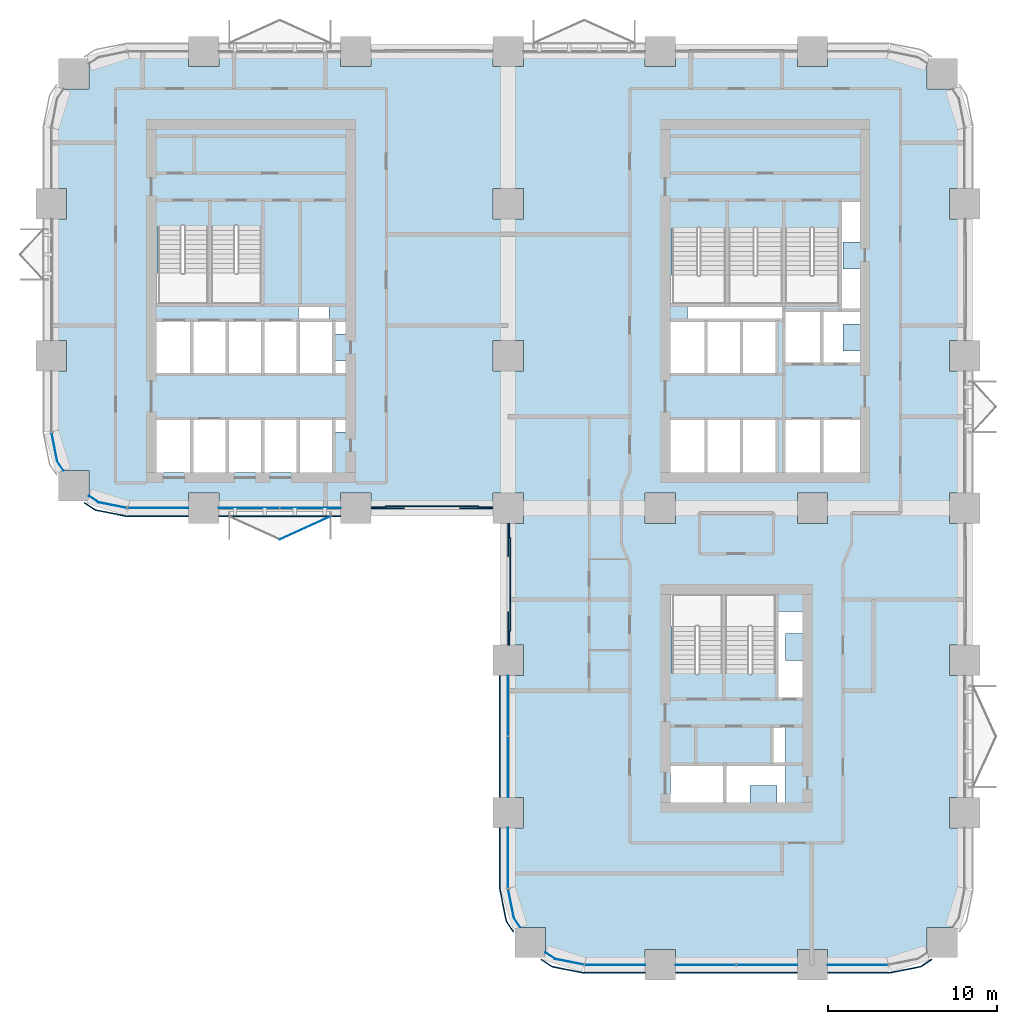
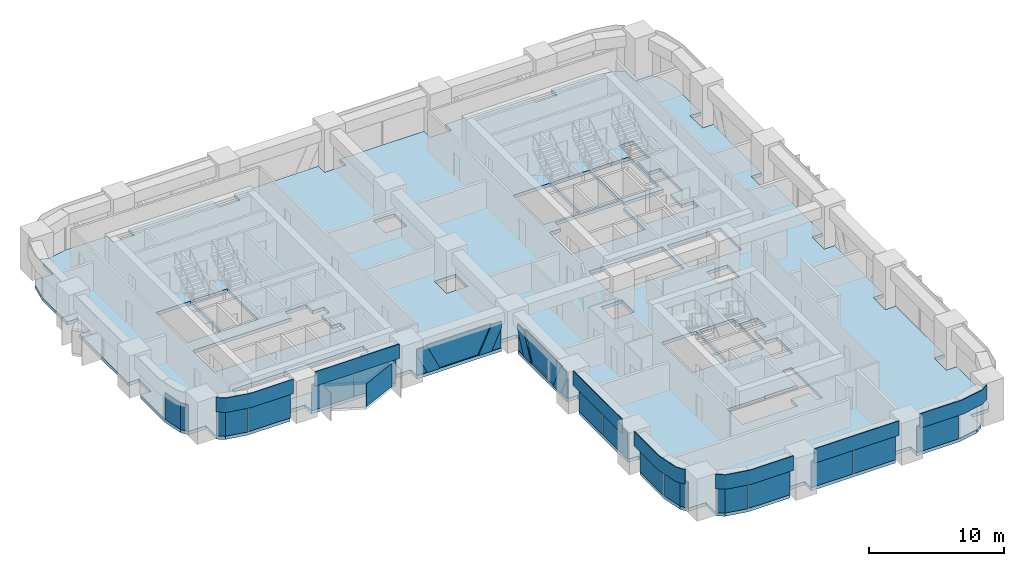
# One storey, part 9 of 18: 32 plates, 1 slab, 10 elements without a shape of their own.
"""IFC4 building model written with IfcOpenShell, lengths in metres."""

from ifc_helpers import new_model, si_unit, direction, frame, origin, origin_2d, place, context, subcontext, project, spatial, polyline, rectangle, outline, extrude, material, layer, layer_set, type_object, element, aggregate, save


model = new_model("IFC4")

# Units and contexts
model_context = context("Model", 3, precision=1e-05, world=origin(), true_north=direction((0.0, 1.0)))
body_context = subcontext(model_context, "Body", "Model", "MODEL_VIEW")
ifc_project = project(units=[si_unit("LENGTHUNIT", "METRE"), si_unit("AREAUNIT", "SQUARE_METRE"), si_unit("VOLUMEUNIT", "CUBIC_METRE"), si_unit("PLANEANGLEUNIT", "RADIAN"), si_unit("MASSUNIT", "GRAM", prefix="KILO")], contexts=[model_context])

# Site, building, storey
site_placement = place(None, origin())
site = spatial("IfcSite", under=ifc_project, at=site_placement, CompositionType="ELEMENT")
building_placement = place(site_placement, origin())
building = spatial("IfcBuilding", under=site, at=building_placement, Name="Tessera Arch", CompositionType="ELEMENT")
storey_placement = place(building_placement, frame((0.0, 0.0, 89.199951171875)))
storey = spatial("IfcBuildingStorey", under=building, at=storey_placement, Name="L20", CompositionType="ELEMENT", Elevation=89.199951171875)

# Curtain wall, plates
ifc_material_1 = material(Name="CW1 curtain wall")
curtain_wall_type_1 = type_object("IfcCurtainWallType", Name="CW1 curtain wall", PredefinedType="NOTDEFINED", material=ifc_material_1)
curtain_wall_1_placement = place(storey_placement, origin())
curtain_wall_1 = element("IfcCurtainWall", 1, at=curtain_wall_1_placement, inside=storey, type_object=curtain_wall_type_1, Name="CW1 curtain wall S27.0/1 L20", PredefinedType="NOTDEFINED")
ifc_material_2 = material(Name="Clear low-e glass", Category="glass")
ifc_material_3 = material(Name="Clear low-e glass", Category="glass")
ifc_layer_1 = layer(ifc_material_3, 0.028076171875)
ifc_layer_set_1 = layer_set([ifc_layer_1], Name="CW1 glass panel")
plate_type_1 = type_object("IfcPlateType", Name="CW1 glass panel", PredefinedType="CURTAIN_PANEL", material=ifc_layer_set_1)
plate_1_placement = place(storey_placement, frame((11.68505859375, 27.0, 0.0), z_axis=(0.0, 0.0, 1.0), x_axis=(1.0, 0.0, 0.0)))
plate_1 = element("IfcPlate", 2, at=plate_1_placement, type_object=plate_type_1, material=ifc_material_2, Name="CW1 glass panel S27.0/1 1.1.1", PredefinedType="CURTAIN_PANEL", context=body_context, shape_type="SweptSolid", body=[
    extrude(rectangle(XDim=3.570068359375, YDim=0.028076171875, at=origin_2d()), origin(), (0.0, 0.0, 1.0), 2.39990234375),
])
plate_2_placement = place(storey_placement, frame((15.31494140625, 27.0, 0.0), z_axis=(0.0, 0.0, 1.0), x_axis=(1.0, 0.0, 0.0)))
plate_2 = element("IfcPlate", 3, at=plate_2_placement, type_object=plate_type_1, material=ifc_material_2, Name="CW1 glass panel S27.0/1 1.2.1", PredefinedType="CURTAIN_PANEL", context=body_context, shape_type="SweptSolid", body=[
    extrude(rectangle(XDim=3.570068359375, YDim=0.028076171875, at=origin_2d()), origin(), (0.0, 0.0, 1.0), 2.39990234375),
])

curtain_wall_2_placement = place(storey_placement, origin())
curtain_wall_2 = element("IfcCurtainWall", 4, at=curtain_wall_2_placement, inside=storey, type_object=curtain_wall_type_1, Name="CW1 curtain wall W27.0/1 L20", PredefinedType="NOTDEFINED")
plate_3_placement = place(storey_placement, frame((27.0, 15.31494140625, 0.0), z_axis=(0.0, 0.0, 1.0), x_axis=(0.0, -1.0, 0.0)))
plate_3 = element("IfcPlate", 5, at=plate_3_placement, type_object=plate_type_1, material=ifc_material_2, Name="CW1 glass panel W27.0/1 1.1.1", PredefinedType="CURTAIN_PANEL", context=body_context, shape_type="SweptSolid", body=[
    extrude(rectangle(XDim=3.570068359375, YDim=0.028076171875, at=origin_2d()), origin(), (0.0, 0.0, 1.0), 2.39990234375),
])
plate_4_placement = place(storey_placement, frame((27.0, 11.68505859375, 0.0), z_axis=(0.0, 0.0, 1.0), x_axis=(0.0, -1.0, 0.0)))
plate_4 = element("IfcPlate", 6, at=plate_4_placement, type_object=plate_type_1, material=ifc_material_2, Name="CW1 glass panel W27.0/1 1.2.1", PredefinedType="CURTAIN_PANEL", context=body_context, shape_type="SweptSolid", body=[
    extrude(rectangle(XDim=3.570068359375, YDim=0.028076171875, at=origin_2d()), origin(), (0.0, 0.0, 1.0), 2.39990234375),
])

curtain_wall_3_placement = place(storey_placement, origin())
curtain_wall_3 = element("IfcCurtainWall", 7, at=curtain_wall_3_placement, inside=storey, type_object=curtain_wall_type_1, Name="CW1 curtain wall S0.27/1 L20", PredefinedType="NOTDEFINED")
plate_5_placement = place(storey_placement, frame((38.68505859375, 0.0, 0.0), z_axis=(0.0, 0.0, 1.0), x_axis=(1.0, 0.0, 0.0)))
plate_5 = element("IfcPlate", 8, at=plate_5_placement, type_object=plate_type_1, material=ifc_material_2, Name="CW1 glass panel S0.27/1 1.1.1", PredefinedType="CURTAIN_PANEL", context=body_context, shape_type="SweptSolid", body=[
    extrude(rectangle(XDim=3.570068359375, YDim=0.028076171875, at=origin_2d()), origin(), (0.0, 0.0, 1.0), 2.39990234375),
])
plate_6_placement = place(storey_placement, frame((42.31494140625, 0.0, 0.0), z_axis=(0.0, 0.0, 1.0), x_axis=(1.0, 0.0, 0.0)))
plate_6 = element("IfcPlate", 9, at=plate_6_placement, type_object=plate_type_1, material=ifc_material_2, Name="CW1 glass panel S0.27/1 1.2.1", PredefinedType="CURTAIN_PANEL", context=body_context, shape_type="SweptSolid", body=[
    extrude(rectangle(XDim=3.570068359375, YDim=0.028076171875, at=origin_2d()), origin(), (0.0, 0.0, 1.0), 2.39990234375),
])

# Plate
ifc_material_4 = material(Name="Pale anodised aluminium panel", Category="aluminium")
ifc_layer_2 = layer(ifc_material_4, 0.06005859375)
ifc_layer_set_2 = layer_set([ifc_layer_2], Name="CW1 spandrel panel")
plate_type_2 = type_object("IfcPlateType", Name="CW1 spandrel panel", PredefinedType="CURTAIN_PANEL", material=ifc_layer_set_2)
plate_7_placement = place(storey_placement, frame((13.5, 26.52001953125, 2.5), z_axis=(0.0, 0.0, 1.0), x_axis=(1.0, 0.0, 0.0)))
plate_7 = element("IfcPlate", 10, at=plate_7_placement, type_object=plate_type_2, Name="CW1 spandrel panel S27.0/1", PredefinedType="CURTAIN_PANEL", context=body_context, shape_type="SweptSolid", body=[
    extrude(rectangle(XDim=7.199951171875, YDim=0.06005859375, at=origin_2d()), origin(), (0.0, 0.0, 1.0), 1.300048828125),
])

aggregate(curtain_wall_1, [plate_1, plate_2, plate_7])

plate_8_placement = place(storey_placement, frame((26.52001953125, 13.5, 2.5), z_axis=(0.0, 0.0, 1.0), x_axis=(0.0, -1.0, 0.0)))
plate_8 = element("IfcPlate", 11, at=plate_8_placement, type_object=plate_type_2, Name="CW1 spandrel panel W27.0/1", PredefinedType="CURTAIN_PANEL", context=body_context, shape_type="SweptSolid", body=[
    extrude(rectangle(XDim=7.199951171875, YDim=0.06005859375, at=origin_2d()), origin(), (0.0, 0.0, 1.0), 1.300048828125),
])

aggregate(curtain_wall_2, [plate_3, plate_4, plate_8])

plate_9_placement = place(storey_placement, frame((40.5, -0.47998046875, 2.5), z_axis=(0.0, 0.0, 1.0), x_axis=(1.0, 0.0, 0.0)))
plate_9 = element("IfcPlate", 12, at=plate_9_placement, type_object=plate_type_2, Name="CW1 spandrel panel S0.27/1", PredefinedType="CURTAIN_PANEL", context=body_context, shape_type="SweptSolid", body=[
    extrude(rectangle(XDim=7.199951171875, YDim=0.06005859375, at=origin_2d()), origin(), (0.0, 0.0, 1.0), 1.300048828125),
])

aggregate(curtain_wall_3, [plate_5, plate_6, plate_9])

# Curtain wall, plate
ifc_material_5 = material(Name="CW2 curtain wall")
curtain_wall_type_2 = type_object("IfcCurtainWallType", Name="CW2 curtain wall", PredefinedType="NOTDEFINED", material=ifc_material_5)
curtain_wall_4_placement = place(storey_placement, origin())
curtain_wall_4 = element("IfcCurtainWall", 13, at=curtain_wall_4_placement, inside=storey, type_object=curtain_wall_type_2, Name="CW2 curtain wall W0.27/2 L20", PredefinedType="NOTDEFINED")
ifc_material_6 = material(Name="Clear low-e glass", Category="glass")
ifc_layer_3 = layer(ifc_material_6, 0.028076171875)
ifc_layer_set_3 = layer_set([ifc_layer_3], Name="CW2 glass panel")
plate_type_3 = type_object("IfcPlateType", Name="CW2 glass panel", PredefinedType="CURTAIN_PANEL", material=ifc_layer_set_3)
plate_10_placement = place(storey_placement, origin())
plate_10 = element("IfcPlate", 14, at=plate_10_placement, type_object=plate_type_3, material=ifc_material_2, Name="CW2 curved glass panel W0.27/2 2.1", PredefinedType="CURTAIN_PANEL", context=body_context, shape_type="SweptSolid", body=[
    extrude(outline(polyline([(0.355712890625, 29.783447265625), (0.021484375, 31.46337890625), (-0.005859375, 31.4580078125), (0.329345703125, 29.7724609375), (0.705078125, 29.210205078125), (0.728271484375, 29.225830078125), (0.355712890625, 29.783447265625)])), origin(), (0.0, 0.0, 1.0), 2.400146484375),
])
aggregate(curtain_wall_4, [plate_10])

# Curtain wall, plates
curtain_wall_5_placement = place(storey_placement, origin())
curtain_wall_5 = element("IfcCurtainWall", 15, at=curtain_wall_5_placement, inside=storey, type_object=curtain_wall_type_2, Name="CW2 curtain wall S27.0/0 L20", PredefinedType="NOTDEFINED")
plate_11_placement = place(storey_placement, frame((6.320068359375, 27.0, 0.0), z_axis=(0.0, 0.0, 1.0), x_axis=(1.0, 0.0, 0.0)))
plate_11 = element("IfcPlate", 16, at=plate_11_placement, type_object=plate_type_3, material=ifc_material_2, Name="CW2 glass panel S27.0/0 1.1", PredefinedType="CURTAIN_PANEL", context=body_context, shape_type="SweptSolid", body=[
    extrude(rectangle(XDim=3.56005859375, YDim=0.028076171875, at=origin_2d()), origin(), (0.0, 0.0, 1.0), 2.39990234375),
])
plate_12_placement = place(storey_placement, origin())
plate_12 = element("IfcPlate", 17, at=plate_12_placement, type_object=plate_type_3, material=ifc_material_2, Name="CW2 curved glass panel S27.0/0 2.1", PredefinedType="CURTAIN_PANEL", context=body_context, shape_type="SweptSolid", body=[
    extrude(outline(polyline([(2.783447265625, 27.355712890625), (2.225830078125, 27.728271484375), (2.210205078125, 27.705078125), (2.7724609375, 27.329345703125), (4.4580078125, 26.994140625), (4.46337890625, 27.021484375), (2.783447265625, 27.355712890625)])), origin(), (0.0, 0.0, 1.0), 2.400146484375),
])

curtain_wall_6_placement = place(storey_placement, origin())
curtain_wall_6 = element("IfcCurtainWall", 18, at=curtain_wall_6_placement, inside=storey, type_object=curtain_wall_type_2, Name="CW2 curtain wall W27.0/2 L20", PredefinedType="NOTDEFINED")
plate_13_placement = place(storey_placement, frame((27.0, 6.320068359375, 0.0), z_axis=(0.0, 0.0, 1.0), x_axis=(0.0, -1.0, 0.0)))
plate_13 = element("IfcPlate", 19, at=plate_13_placement, type_object=plate_type_3, material=ifc_material_2, Name="CW2 glass panel W27.0/2 1.1", PredefinedType="CURTAIN_PANEL", context=body_context, shape_type="SweptSolid", body=[
    extrude(rectangle(XDim=3.56005859375, YDim=0.028076171875, at=origin_2d()), origin(), (0.0, 0.0, 1.0), 2.39990234375),
])
plate_14_placement = place(storey_placement, origin())
plate_14 = element("IfcPlate", 20, at=plate_14_placement, type_object=plate_type_3, material=ifc_material_2, Name="CW2 curved glass panel W27.0/2 2.1", PredefinedType="CURTAIN_PANEL", context=body_context, shape_type="SweptSolid", body=[
    extrude(outline(polyline([(27.355712890625, 2.783447265625), (27.021484375, 4.46337890625), (26.994140625, 4.4580078125), (27.329345703125, 2.7724609375), (27.705078125, 2.210205078125), (27.728271484375, 2.225830078125), (27.355712890625, 2.783447265625)])), origin(), (0.0, 0.0, 1.0), 2.400146484375),
])

curtain_wall_7_placement = place(storey_placement, origin())
curtain_wall_7 = element("IfcCurtainWall", 21, at=curtain_wall_7_placement, inside=storey, type_object=curtain_wall_type_2, Name="CW2 curtain wall S0.27/0 L20", PredefinedType="NOTDEFINED")
plate_15_placement = place(storey_placement, frame((33.320068359375, 0.0, 0.0), z_axis=(0.0, 0.0, 1.0), x_axis=(1.0, 0.0, 0.0)))
plate_15 = element("IfcPlate", 22, at=plate_15_placement, type_object=plate_type_3, material=ifc_material_2, Name="CW2 glass panel S0.27/0 1.1", PredefinedType="CURTAIN_PANEL", context=body_context, shape_type="SweptSolid", body=[
    extrude(rectangle(XDim=3.56005859375, YDim=0.028076171875, at=origin_2d()), origin(), (0.0, 0.0, 1.0), 2.39990234375),
])
plate_16_placement = place(storey_placement, origin())
plate_16 = element("IfcPlate", 23, at=plate_16_placement, type_object=plate_type_3, material=ifc_material_2, Name="CW2 curved glass panel S0.27/0 2.1", PredefinedType="CURTAIN_PANEL", context=body_context, shape_type="SweptSolid", body=[
    extrude(outline(polyline([(29.783447265625, 0.355712890625), (29.225830078125, 0.728271484375), (29.210205078125, 0.705078125), (29.7724609375, 0.329345703125), (31.4580078125, -0.005859375), (31.46337890625, 0.021484375), (29.783447265625, 0.355712890625)])), origin(), (0.0, 0.0, 1.0), 2.400146484375),
])

# Curtain wall, plate
curtain_wall_8_placement = place(storey_placement, origin())
curtain_wall_8 = element("IfcCurtainWall", 24, at=curtain_wall_8_placement, inside=storey, type_object=curtain_wall_type_2, Name="CW2 curtain wall S0.27/2 L20", PredefinedType="NOTDEFINED")
plate_17_placement = place(storey_placement, frame((47.679931640625, 0.0, 0.0), z_axis=(0.0, 0.0, 1.0), x_axis=(1.0, 0.0, 0.0)))
plate_17 = element("IfcPlate", 25, at=plate_17_placement, type_object=plate_type_3, material=ifc_material_2, Name="CW2 glass panel S0.27/2 1.1", PredefinedType="CURTAIN_PANEL", context=body_context, shape_type="SweptSolid", body=[
    extrude(rectangle(XDim=3.56005859375, YDim=0.028076171875, at=origin_2d()), origin(), (0.0, 0.0, 1.0), 2.39990234375),
])

# Plate
ifc_material_7 = material(Name="Pale anodised aluminium panel", Category="aluminium")
ifc_layer_4 = layer(ifc_material_7, 0.06005859375)
ifc_layer_set_4 = layer_set([ifc_layer_4], Name="CW2 spandrel panel")
plate_type_4 = type_object("IfcPlateType", Name="CW2 spandrel panel", PredefinedType="CURTAIN_PANEL", material=ifc_layer_set_4)
plate_18_placement = place(storey_placement, frame((0.0, 0.0, 2.5)))
plate_18 = element("IfcPlate", 26, at=plate_18_placement, type_object=plate_type_4, Name="CW2 spandrel panel S27.0/0", PredefinedType="CURTAIN_PANEL", context=body_context, shape_type="SweptSolid", body=[
    extrude(outline(polyline([(2.52734375, 26.96875), (1.968017578125, 27.342529296875), (1.9345703125, 27.292724609375), (2.4951171875, 26.91796875), (2.537353515625, 26.892822265625), (2.582763671875, 26.871337890625), (2.6298828125, 26.8544921875), (2.677734375, 26.842529296875), (4.401123046875, 26.499755859375), (4.449951171875, 26.492431640625), (4.499267578125, 26.489990234375), (8.10009765625, 26.489990234375), (8.10009765625, 26.550048828125), (4.500732421875, 26.550048828125), (4.455810546875, 26.55224609375), (4.411376953125, 26.558837890625), (2.69091796875, 26.90087890625), (2.647216796875, 26.911865234375), (2.605712890625, 26.9267578125), (2.565673828125, 26.94580078125), (2.52734375, 26.96875)])), origin(), (0.0, 0.0, 1.0), 1.300048828125),
])

aggregate(curtain_wall_5, [plate_11, plate_12, plate_18])

plate_19_placement = place(storey_placement, frame((0.0, 0.0, 2.5)))
plate_19 = element("IfcPlate", 27, at=plate_19_placement, type_object=plate_type_4, Name="CW2 spandrel panel W27.0/2", PredefinedType="CURTAIN_PANEL", context=body_context, shape_type="SweptSolid", body=[
    extrude(outline(polyline([(26.550048828125, 4.500732421875), (26.550048828125, 8.10009765625), (26.489990234375, 8.10009765625), (26.489990234375, 4.499267578125), (26.492431640625, 4.449951171875), (26.499755859375, 4.401123046875), (26.842529296875, 2.677734375), (26.8544921875, 2.6298828125), (26.871337890625, 2.582763671875), (26.892822265625, 2.537353515625), (26.91796875, 2.4951171875), (27.292724609375, 1.9345703125), (27.342529296875, 1.968017578125), (26.96875, 2.52734375), (26.94580078125, 2.565673828125), (26.9267578125, 2.605712890625), (26.911865234375, 2.647216796875), (26.90087890625, 2.69091796875), (26.558837890625, 4.411376953125), (26.55224609375, 4.455810546875), (26.550048828125, 4.500732421875)])), origin(), (0.0, 0.0, 1.0), 1.300048828125),
])

aggregate(curtain_wall_6, [plate_13, plate_14, plate_19])

plate_20_placement = place(storey_placement, frame((0.0, 0.0, 2.5)))
plate_20 = element("IfcPlate", 28, at=plate_20_placement, type_object=plate_type_4, Name="CW2 spandrel panel S0.27/0", PredefinedType="CURTAIN_PANEL", context=body_context, shape_type="SweptSolid", body=[
    extrude(outline(polyline([(29.52734375, -0.03125), (28.968017578125, 0.342529296875), (28.9345703125, 0.292724609375), (29.4951171875, -0.08203125), (29.537353515625, -0.107177734375), (29.582763671875, -0.128662109375), (29.6298828125, -0.1455078125), (29.677734375, -0.157470703125), (31.401123046875, -0.500244140625), (31.449951171875, -0.507568359375), (31.499267578125, -0.510009765625), (35.10009765625, -0.510009765625), (35.10009765625, -0.449951171875), (31.500732421875, -0.449951171875), (31.455810546875, -0.44775390625), (31.411376953125, -0.441162109375), (29.69091796875, -0.09912109375), (29.647216796875, -0.088134765625), (29.605712890625, -0.0732421875), (29.565673828125, -0.05419921875), (29.52734375, -0.03125)])), origin(), (0.0, 0.0, 1.0), 1.300048828125),
])

aggregate(curtain_wall_7, [plate_15, plate_16, plate_20])

plate_21_placement = place(storey_placement, frame((0.0, 0.0, 2.5)))
plate_21 = element("IfcPlate", 29, at=plate_21_placement, type_object=plate_type_4, Name="CW2 spandrel panel S0.27/2", PredefinedType="CURTAIN_PANEL", context=body_context, shape_type="SweptSolid", body=[
    extrude(outline(polyline([(49.499267578125, -0.449951171875), (45.89990234375, -0.449951171875), (45.89990234375, -0.510009765625), (49.500732421875, -0.510009765625), (49.550048828125, -0.507568359375), (49.598876953125, -0.500244140625), (51.322265625, -0.157470703125), (51.3701171875, -0.1455078125), (51.417236328125, -0.128662109375), (51.462646484375, -0.107177734375), (51.5048828125, -0.08203125), (52.0654296875, 0.292724609375), (52.031982421875, 0.342529296875), (51.47265625, -0.03125), (51.434326171875, -0.05419921875), (51.394287109375, -0.0732421875), (51.352783203125, -0.088134765625), (51.30908203125, -0.09912109375), (49.588623046875, -0.441162109375), (49.544189453125, -0.44775390625), (49.499267578125, -0.449951171875)])), origin(), (0.0, 0.0, 1.0), 1.300048828125),
])

aggregate(curtain_wall_8, [plate_17, plate_21])

# Curtain wall, plates
ifc_material_8 = material(Name="CW3 curtain wall")
curtain_wall_type_3 = type_object("IfcCurtainWallType", Name="CW3 curtain wall", PredefinedType="NOTDEFINED", material=ifc_material_8)
curtain_wall_9_placement = place(storey_placement, origin())
curtain_wall_9 = element("IfcCurtainWall", 30, at=curtain_wall_9_placement, inside=storey, type_object=curtain_wall_type_3, Name="CW3 curtain wall S27.0/2 L20", PredefinedType="NOTDEFINED")
ifc_material_9 = material(Name="Pale anodised aluminium panel", Category="aluminium")
ifc_layer_5 = layer(ifc_material_9, 0.06005859375)
ifc_layer_set_5 = layer_set([ifc_layer_5], Name="CW3 diagonal panel")
plate_type_5 = type_object("IfcPlateType", Name="CW3 diagonal panel", PredefinedType="CURTAIN_PANEL", material=ifc_layer_set_5)
plate_22_placement = place(storey_placement, frame((26.10009765625, 26.969970703125, 2.400146484375), z_axis=(0.0, -1.0, 0.0), x_axis=(-1.0, 0.0, 0.0)))
plate_22 = element("IfcPlate", 31, at=plate_22_placement, type_object=plate_type_5, Name="CW3 diagonal panel S27.0/2 1", PredefinedType="CURTAIN_PANEL", context=body_context, shape_type="SweptSolid", body=[
    extrude(outline(polyline([(0.0, 0.0), (0.834228515625, 0.0), (1.97119140625, 2.400146484375), (0.87109375, 2.400146484375), (0.0, 0.56103515625), (0.0, 0.0)])), origin(), (0.0, 0.0, -1.0), 0.06005859375),
])
plate_23_placement = place(storey_placement, frame((18.89990234375, 26.969970703125, 2.400146484375), z_axis=(0.0, -1.0, 0.0), x_axis=(0.0, 0.0, -1.0)))
plate_23 = element("IfcPlate", 32, at=plate_23_placement, type_object=plate_type_5, Name="CW3 diagonal panel S27.0/2 2", PredefinedType="CURTAIN_PANEL", context=body_context, shape_type="SweptSolid", body=[
    extrude(outline(polyline([(0.0, 0.0), (0.56103515625, 0.0), (2.400146484375, 0.87109375), (2.400146484375, 1.97119140625), (0.0, 0.834228515625), (0.0, 0.0)])), origin(), (0.0, 0.0, -1.0), 0.06005859375),
])
plate_24_placement = place(storey_placement, frame((18.89990234375, 27.030029296875, 0.0), z_axis=(0.0, -1.0, 0.0), x_axis=(1.0, 0.0, 0.0)))
plate_24 = element("IfcPlate", 33, at=plate_24_placement, type_object=plate_type_5, Name="CW3 diagonal panel S27.0/2 3", PredefinedType="CURTAIN_PANEL", context=body_context, shape_type="SweptSolid", body=[
    extrude(outline(polyline([(0.0, 0.0), (0.87109375, 0.0), (0.0, 1.839111328125), (0.0, 0.0)])), origin(), (0.0, 0.0, -1.0), 0.06005859375),
])
plate_25_placement = place(storey_placement, frame((25.265869140625, 27.090087890625, 2.400146484375), z_axis=(0.0, -1.0, 0.0), x_axis=(-1.0, 0.0, 0.0)))
plate_25 = element("IfcPlate", 34, at=plate_25_placement, type_object=plate_type_5, Name="CW3 diagonal panel S27.0/2 4", PredefinedType="CURTAIN_PANEL", context=body_context, shape_type="SweptSolid", body=[
    extrude(outline(polyline([(0.0, 0.0), (5.53173828125, 0.0), (4.394775390625, 2.400146484375), (1.136962890625, 2.400146484375), (0.0, 0.0)])), origin(), (0.0, 0.0, -1.0), 0.06005859375),
])
plate_26_placement = place(storey_placement, frame((26.10009765625, 27.030029296875, 0.0), z_axis=(0.0, -1.0, 0.0), x_axis=(0.0, 0.0, 1.0)))
plate_26 = element("IfcPlate", 35, at=plate_26_placement, type_object=plate_type_5, Name="CW3 diagonal panel S27.0/2 5", PredefinedType="CURTAIN_PANEL", context=body_context, shape_type="SweptSolid", body=[
    extrude(outline(polyline([(0.0, 0.0), (1.839111328125, 0.0), (0.0, 0.87109375), (0.0, 0.0)])), origin(), (0.0, 0.0, -1.0), 0.06005859375),
])
aggregate(curtain_wall_9, [plate_22, plate_23, plate_24, plate_25, plate_26])

curtain_wall_10_placement = place(storey_placement, origin())
curtain_wall_10 = element("IfcCurtainWall", 36, at=curtain_wall_10_placement, inside=storey, type_object=curtain_wall_type_3, Name="CW3 curtain wall W27.0/0 L20", PredefinedType="NOTDEFINED")
plate_27_placement = place(storey_placement, frame((26.969970703125, 18.89990234375, 2.400146484375), z_axis=(-1.0, 0.0, 0.0), x_axis=(0.0, 1.0, 0.0)))
plate_27 = element("IfcPlate", 37, at=plate_27_placement, type_object=plate_type_5, Name="CW3 diagonal panel W27.0/0 1", PredefinedType="CURTAIN_PANEL", context=body_context, shape_type="SweptSolid", body=[
    extrude(outline(polyline([(0.0, 0.0), (0.834228515625, 0.0), (1.97119140625, 2.400146484375), (0.87109375, 2.400146484375), (0.0, 0.56103515625), (0.0, 0.0)])), origin(), (0.0, 0.0, -1.0), 0.06005859375),
])
plate_28_placement = place(storey_placement, frame((26.969970703125, 26.10009765625, 2.400146484375), z_axis=(-1.0, 0.0, 0.0), x_axis=(0.0, 0.0, -1.0)))
plate_28 = element("IfcPlate", 38, at=plate_28_placement, type_object=plate_type_5, Name="CW3 diagonal panel W27.0/0 2", PredefinedType="CURTAIN_PANEL", context=body_context, shape_type="SweptSolid", body=[
    extrude(outline(polyline([(0.0, 0.0), (0.56103515625, 0.0), (2.400146484375, 0.87109375), (2.400146484375, 1.97119140625), (0.0, 0.834228515625), (0.0, 0.0)])), origin(), (0.0, 0.0, -1.0), 0.06005859375),
])
plate_29_placement = place(storey_placement, frame((27.030029296875, 26.10009765625, 0.0), z_axis=(-1.0, 0.0, 0.0), x_axis=(0.0, -1.0, 0.0)))
plate_29 = element("IfcPlate", 39, at=plate_29_placement, type_object=plate_type_5, Name="CW3 diagonal panel W27.0/0 3", PredefinedType="CURTAIN_PANEL", context=body_context, shape_type="SweptSolid", body=[
    extrude(outline(polyline([(0.0, 0.0), (0.87109375, 0.0), (0.0, 1.839111328125), (0.0, 0.0)])), origin(), (0.0, 0.0, -1.0), 0.06005859375),
])
plate_30_placement = place(storey_placement, frame((27.090087890625, 19.734130859375, 2.400146484375), z_axis=(-1.0, 0.0, 0.0), x_axis=(0.0, 1.0, 0.0)))
plate_30 = element("IfcPlate", 40, at=plate_30_placement, type_object=plate_type_5, Name="CW3 diagonal panel W27.0/0 4", PredefinedType="CURTAIN_PANEL", context=body_context, shape_type="SweptSolid", body=[
    extrude(outline(polyline([(0.0, 0.0), (5.53173828125, 0.0), (4.394775390625, 2.400146484375), (1.136962890625, 2.400146484375), (0.0, 0.0)])), origin(), (0.0, 0.0, -1.0), 0.06005859375),
])
plate_31_placement = place(storey_placement, frame((27.030029296875, 18.89990234375, 0.0), z_axis=(-1.0, 0.0, 0.0), x_axis=(0.0, 0.0, 1.0)))
plate_31 = element("IfcPlate", 41, at=plate_31_placement, type_object=plate_type_5, Name="CW3 diagonal panel W27.0/0 5", PredefinedType="CURTAIN_PANEL", context=body_context, shape_type="SweptSolid", body=[
    extrude(outline(polyline([(0.0, 0.0), (1.839111328125, 0.0), (0.0, 0.87109375), (0.0, 0.0)])), origin(), (0.0, 0.0, -1.0), 0.06005859375),
])
aggregate(curtain_wall_10, [plate_27, plate_28, plate_29, plate_30, plate_31])

# Slab
ifc_material_10 = material(Name="Concrete C40/50", Category="concrete")
ifc_layer_6 = layer(ifc_material_10, 0.300048828125)
ifc_layer_set_6 = layer_set([ifc_layer_6], Name="Floor slab 300 Concrete C40/50")
slab_type = type_object("IfcSlabType", Name="Floor slab 300 Concrete C40/50", PredefinedType="FLOOR", material=ifc_layer_set_6)
slab_placement = place(storey_placement, frame((0.0, 0.0, -0.300048828125)))
element("IfcSlab", 42, at=slab_placement, inside=storey, type_object=slab_type, Name="Floor slab L20 1", PredefinedType="FLOOR", context=body_context, shape_type="SweptSolid", body=[
    extrude(outline(polyline([(49.5, 54.0), (51.22216796875, 53.657470703125), (51.781982421875, 53.283447265625), (51.781982421875, 51.781982421875), (53.283447265625, 51.781982421875), (53.657470703125, 51.22216796875), (54.0, 49.5), (54.0, 45.89990234375), (53.10009765625, 45.89990234375), (53.10009765625, 44.10009765625), (54.0, 44.10009765625), (54.0, 36.89990234375), (53.10009765625, 36.89990234375), (53.10009765625, 35.10009765625), (54.0, 35.10009765625), (54.0, 27.89990234375), (53.10009765625, 27.89990234375), (53.10009765625, 26.10009765625), (54.0, 26.10009765625), (54.0, 18.89990234375), (53.10009765625, 18.89990234375), (53.10009765625, 17.10009765625), (54.0, 17.10009765625), (54.0, 9.89990234375), (53.10009765625, 9.89990234375), (53.10009765625, 8.10009765625), (54.0, 8.10009765625), (54.0, 4.5), (53.657470703125, 2.77783203125), (53.283447265625, 2.218017578125), (51.781982421875, 2.218017578125), (51.781982421875, 0.716552734375), (51.22216796875, 0.342529296875), (49.5, 0.0), (45.89990234375, 0.0), (45.89990234375, 0.89990234375), (44.10009765625, 0.89990234375), (44.10009765625, 0.0), (36.89990234375, 0.0), (36.89990234375, 0.89990234375), (35.10009765625, 0.89990234375), (35.10009765625, 0.0), (31.5, 0.0), (29.77783203125, 0.342529296875), (29.218017578125, 0.716552734375), (29.218017578125, 2.218017578125), (27.716552734375, 2.218017578125), (27.342529296875, 2.77783203125), (27.0, 4.5), (27.0, 8.10009765625), (27.89990234375, 8.10009765625), (27.89990234375, 9.89990234375), (27.0, 9.89990234375), (27.0, 17.10009765625), (27.89990234375, 17.10009765625), (27.89990234375, 18.89990234375), (27.0, 18.89990234375), (27.0, 26.10009765625), (27.89990234375, 26.10009765625), (27.89990234375, 27.89990234375), (26.10009765625, 27.89990234375), (26.10009765625, 27.0), (18.89990234375, 27.0), (18.89990234375, 27.89990234375), (17.10009765625, 27.89990234375), (17.10009765625, 27.0), (9.89990234375, 27.0), (9.89990234375, 27.89990234375), (8.10009765625, 27.89990234375), (8.10009765625, 27.0), (4.5, 27.0), (2.77783203125, 27.342529296875), (2.218017578125, 27.716552734375), (2.218017578125, 29.218017578125), (0.716552734375, 29.218017578125), (0.342529296875, 29.77783203125), (0.0, 31.5), (0.0, 35.10009765625), (0.89990234375, 35.10009765625), (0.89990234375, 36.89990234375), (0.0, 36.89990234375), (0.0, 44.10009765625), (0.89990234375, 44.10009765625), (0.89990234375, 45.89990234375), (0.0, 45.89990234375), (0.0, 49.5), (0.342529296875, 51.22216796875), (0.716552734375, 51.781982421875), (2.218017578125, 51.781982421875), (2.218017578125, 53.283447265625), (2.77783203125, 53.657470703125), (4.5, 54.0), (8.10009765625, 54.0), (8.10009765625, 53.10009765625), (9.89990234375, 53.10009765625), (9.89990234375, 54.0), (17.10009765625, 54.0), (17.10009765625, 53.10009765625), (18.89990234375, 53.10009765625), (18.89990234375, 54.0), (26.10009765625, 54.0), (26.10009765625, 53.10009765625), (27.89990234375, 53.10009765625), (27.89990234375, 54.0), (35.10009765625, 54.0), (35.10009765625, 53.10009765625), (36.89990234375, 53.10009765625), (36.89990234375, 54.0), (44.10009765625, 54.0), (44.10009765625, 53.10009765625), (45.89990234375, 53.10009765625), (45.89990234375, 54.0), (49.5, 54.0)]), holes=[polyline([(6.199951171875, 32.300048828125), (6.199951171875, 29.10009765625), (8.300048828125, 29.10009765625), (10.39990234375, 29.10009765625), (12.5, 29.10009765625), (14.60009765625, 29.10009765625), (16.699951171875, 29.10009765625), (16.699951171875, 31.5), (17.39990234375, 31.5), (17.39990234375, 32.300048828125), (16.699951171875, 32.300048828125), (14.60009765625, 32.300048828125), (12.5, 32.300048828125), (10.39990234375, 32.300048828125), (8.300048828125, 32.300048828125), (6.199951171875, 32.300048828125)]), polyline([(14.60009765625, 34.89990234375), (16.699951171875, 34.89990234375), (17.39990234375, 34.89990234375), (17.39990234375, 35.699951171875), (16.699951171875, 35.699951171875), (16.699951171875, 37.300048828125), (17.39990234375, 37.300048828125), (17.39990234375, 38.10009765625), (16.699951171875, 38.10009765625), (16.39990234375, 38.10009765625), (16.39990234375, 39.0), (14.60009765625, 39.0), (14.60009765625, 38.10009765625), (12.5, 38.10009765625), (10.39990234375, 38.10009765625), (8.300048828125, 38.10009765625), (6.199951171875, 38.10009765625), (6.199951171875, 34.89990234375), (8.300048828125, 34.89990234375), (10.39990234375, 34.89990234375), (12.5, 34.89990234375), (14.60009765625, 34.89990234375)]), polyline([(11.0, 43.699951171875), (10.85009765625, 43.699951171875), (10.85009765625, 43.68994140625), (9.449951171875, 43.68994140625), (9.449951171875, 39.199951171875), (12.39990234375, 39.199951171875), (12.39990234375, 43.68994140625), (11.0, 43.68994140625), (11.0, 43.699951171875)]), polyline([(7.85009765625, 43.699951171875), (7.699951171875, 43.699951171875), (7.699951171875, 43.68994140625), (6.300048828125, 43.68994140625), (6.300048828125, 39.199951171875), (9.25, 39.199951171875), (9.25, 43.68994140625), (7.85009765625, 43.68994140625), (7.85009765625, 43.699951171875)]), polyline([(43.39990234375, 9.60009765625), (43.39990234375, 11.89990234375), (43.39990234375, 14.10009765625), (42.60009765625, 14.10009765625), (42.60009765625, 11.89990234375), (39.800048828125, 11.89990234375), (39.800048828125, 11.85009765625), (36.60009765625, 11.85009765625), (36.60009765625, 9.60009765625), (39.800048828125, 9.60009765625), (41.300048828125, 9.60009765625), (41.300048828125, 10.60009765625), (42.89990234375, 10.60009765625), (42.89990234375, 9.60009765625), (43.39990234375, 9.60009765625)]), polyline([(41.25, 17.199951171875), (41.39990234375, 17.199951171875), (41.39990234375, 17.2099609375), (42.800048828125, 17.2099609375), (42.800048828125, 21.699951171875), (39.85009765625, 21.699951171875), (39.85009765625, 17.2099609375), (41.25, 17.2099609375), (41.25, 17.199951171875)]), polyline([(38.10009765625, 17.199951171875), (38.25, 17.199951171875), (38.25, 17.2099609375), (39.64990234375, 17.2099609375), (39.64990234375, 21.699951171875), (36.699951171875, 21.699951171875), (36.699951171875, 17.2099609375), (38.10009765625, 17.2099609375), (38.10009765625, 17.199951171875)]), polyline([(35.10009765625, 26.10009765625), (36.89990234375, 26.10009765625), (36.89990234375, 27.89990234375), (35.10009765625, 27.89990234375), (35.10009765625, 26.10009765625)]), polyline([(38.699951171875, 29.10009765625), (40.800048828125, 29.10009765625), (42.89990234375, 29.10009765625), (42.89990234375, 32.300048828125), (40.800048828125, 32.300048828125), (38.699951171875, 32.300048828125), (36.60009765625, 32.300048828125), (36.60009765625, 29.10009765625), (38.699951171875, 29.10009765625)]), polyline([(26.10009765625, 35.10009765625), (27.89990234375, 35.10009765625), (27.89990234375, 36.89990234375), (26.10009765625, 36.89990234375), (26.10009765625, 35.10009765625)]), polyline([(43.300048828125, 39.0), (37.60009765625, 39.0), (37.60009765625, 38.10009765625), (36.60009765625, 38.10009765625), (36.60009765625, 34.89990234375), (38.699951171875, 34.89990234375), (40.800048828125, 34.89990234375), (42.89990234375, 34.89990234375), (42.89990234375, 38.10009765625), (43.300048828125, 38.10009765625), (43.300048828125, 35.5), (45.550048828125, 35.5), (47.800048828125, 35.5), (47.800048828125, 36.300048828125), (46.800048828125, 36.300048828125), (46.800048828125, 37.89990234375), (47.800048828125, 37.89990234375), (47.800048828125, 38.699951171875), (47.800048828125, 41.14990234375), (46.800048828125, 41.14990234375), (46.800048828125, 42.75), (47.800048828125, 42.75), (47.800048828125, 45.199951171875), (46.64990234375, 45.199951171875), (46.64990234375, 38.699951171875), (45.550048828125, 38.699951171875), (43.300048828125, 38.699951171875), (43.300048828125, 39.0)]), polyline([(38.330078125, 43.580078125), (38.219970703125, 43.580078125), (38.219970703125, 43.570068359375), (36.699951171875, 43.570068359375), (36.699951171875, 39.199951171875), (39.85009765625, 39.199951171875), (39.85009765625, 43.570068359375), (38.330078125, 43.570068359375), (38.330078125, 43.580078125)]), polyline([(26.10009765625, 44.10009765625), (27.89990234375, 44.10009765625), (27.89990234375, 45.89990234375), (26.10009765625, 45.89990234375), (26.10009765625, 44.10009765625)]), polyline([(42.89990234375, 15.699951171875), (44.39990234375, 15.699951171875), (44.39990234375, 18.0), (43.39990234375, 18.0), (43.39990234375, 19.60009765625), (44.39990234375, 19.60009765625), (44.39990234375, 20.89990234375), (42.89990234375, 20.89990234375), (42.89990234375, 15.699951171875)]), polyline([(44.10009765625, 26.10009765625), (45.89990234375, 26.10009765625), (45.89990234375, 27.89990234375), (44.10009765625, 27.89990234375), (44.10009765625, 26.10009765625)]), polyline([(45.550048828125, 29.10009765625), (47.800048828125, 29.10009765625), (47.800048828125, 32.300048828125), (45.550048828125, 32.300048828125), (43.300048828125, 32.300048828125), (43.300048828125, 29.10009765625), (45.550048828125, 29.10009765625)]), polyline([(45.030029296875, 43.580078125), (44.919921875, 43.580078125), (44.919921875, 43.570068359375), (43.39990234375, 43.570068359375), (43.39990234375, 39.199951171875), (46.550048828125, 39.199951171875), (46.550048828125, 43.570068359375), (45.030029296875, 43.570068359375), (45.030029296875, 43.580078125)]), polyline([(41.679931640625, 43.580078125), (41.570068359375, 43.580078125), (41.570068359375, 43.570068359375), (40.050048828125, 43.570068359375), (40.050048828125, 39.199951171875), (43.199951171875, 39.199951171875), (43.199951171875, 43.570068359375), (41.679931640625, 43.570068359375), (41.679931640625, 43.580078125)])]), origin(), (0.0, 0.0, 1.0), 0.300048828125),
])

# Plate
ifc_material_11 = material(Name="Clear low-e glass", Category="glass")
ifc_layer_7 = layer(ifc_material_11, 0.028076171875)
ifc_layer_set_7 = layer_set([ifc_layer_7], Name="Window box glass facet")
plate_type_6 = type_object("IfcPlateType", Name="Window box glass facet", PredefinedType="SHEET", material=ifc_layer_set_7)
plate_32_placement = place(storey_placement, frame((14.97509765625, 25.820068359375, 0.219970703125), z_axis=(0.0, 0.0, 1.0), x_axis=(-0.910472144558, -0.413570397858, 0.0)))
element("IfcPlate", 43, at=plate_32_placement, inside=storey, type_object=plate_type_6, Name="Window box S27.0/1.0 2x1 glass", PredefinedType="SHEET", context=body_context, shape_type="SweptSolid", body=[
    extrude(rectangle(XDim=3.239990234375, YDim=0.028076171875, at=origin_2d()), origin(), (0.0, 0.0, 1.0), 2.06005859375),
])

save(model, "model.ifc")
